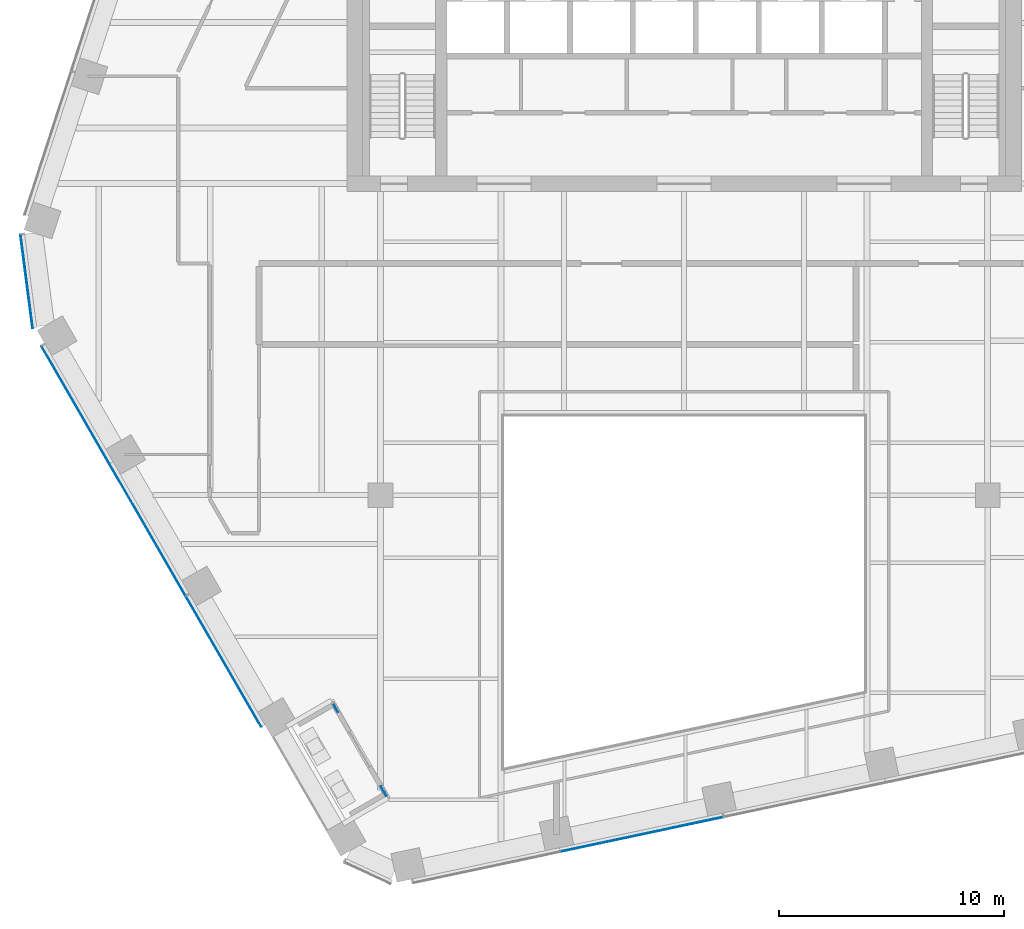
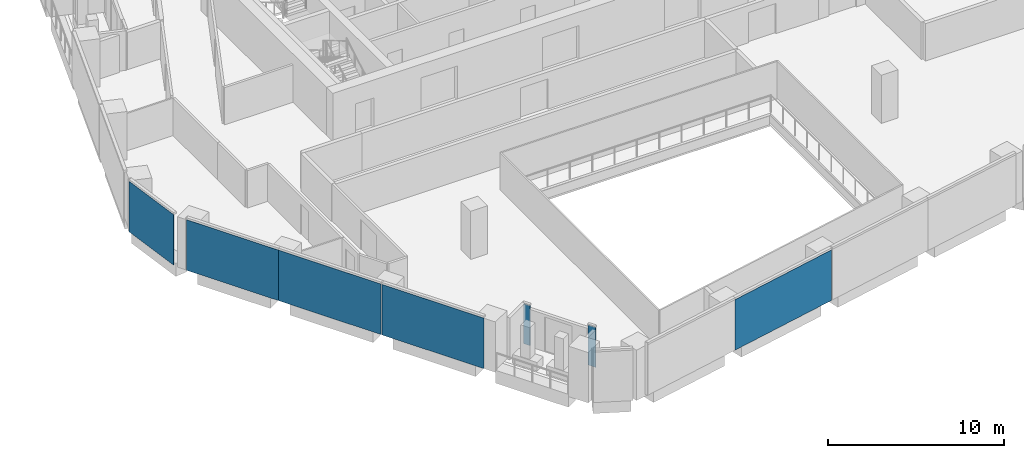
# One storey, part 13 of 26: 7 plates, 4 elements without a shape of their own.
"""IFC4 building model written with IfcOpenShell, lengths in metres."""

from ifc_helpers import new_model, si_unit, direction, frame, origin, origin_2d, place, context, subcontext, project, spatial, rectangle, extrude, material, layer, layer_set, type_object, element, aggregate, save


model = new_model("IFC4")

# Units and contexts
model_context = context("Model", 3, precision=1e-05, world=origin(), true_north=direction((0.0, 1.0)))
body_context = subcontext(model_context, "Body", "Model", "MODEL_VIEW")
ifc_project = project(units=[si_unit("LENGTHUNIT", "METRE"), si_unit("AREAUNIT", "SQUARE_METRE"), si_unit("VOLUMEUNIT", "CUBIC_METRE"), si_unit("PLANEANGLEUNIT", "RADIAN"), si_unit("MASSUNIT", "GRAM", prefix="KILO")], contexts=[model_context])

# Site, building, storey
site_placement = place(None, origin())
site = spatial("IfcSite", under=ifc_project, at=site_placement, CompositionType="ELEMENT")
building_placement = place(site_placement, origin())
building = spatial("IfcBuilding", under=site, at=building_placement, Name="Isthmus Gate Tower", CompositionType="ELEMENT")
storey_placement = place(building_placement, frame((0.0, 0.0, 203.64990234375)))
storey = spatial("IfcBuildingStorey", under=building, at=storey_placement, Name="L51", CompositionType="ELEMENT", Elevation=203.64990234375)

# Curtain wall, plate
ifc_material_1 = material(Name="Aluminium, pale champagne anodised", Category="aluminium")
ifc_layer_1 = layer(ifc_material_1, 0.199951171875)
ifc_layer_set_1 = layer_set([ifc_layer_1], Name="CW-1 UNITISED CURTAIN WALL 200 DEEP")
curtain_wall_type_1 = type_object("IfcCurtainWallType", Name="CW-1 UNITISED CURTAIN WALL 200 DEEP", PredefinedType="NOTDEFINED", material=ifc_layer_set_1)
curtain_wall_1_placement = place(storey_placement, origin())
curtain_wall_1 = element("IfcCurtainWall", 1, at=curtain_wall_1_placement, inside=storey, type_object=curtain_wall_type_1, Name="CW-1 NW-SW L51", PredefinedType="NOTDEFINED")
ifc_material_2 = material(Name="Laminated low-iron glass, pale blue tint", Category="glass")
ifc_layer_2 = layer(ifc_material_2, 0.035888671875)
ifc_layer_set_2 = layer_set([ifc_layer_2], Name="CW-1 CLEAR GLASS LITE 36")
plate_type_1 = type_object("IfcPlateType", Name="CW-1 CLEAR GLASS LITE 36", PredefinedType="CURTAIN_PANEL", material=ifc_layer_set_2)
plate_1_placement = place(storey_placement, frame((-29.234619140625, -3.9990234375, 0.0), z_axis=(0.0, 0.0, 1.0), x_axis=(0.129164534, -0.991623175988, 0.0)))
plate_1 = element("IfcPlate", 2, at=plate_1_placement, type_object=plate_type_1, Name="CW-1 glass lite", PredefinedType="CURTAIN_PANEL", context=body_context, shape_type="SweptSolid", body=[
    extrude(rectangle(XDim=4.181396484375, YDim=0.035888671875, at=origin_2d()), origin(), (0.0, 0.0, 1.0), 3.510009765625),
])
aggregate(curtain_wall_1, [plate_1])

# Curtain wall, plates
curtain_wall_2_placement = place(storey_placement, origin())
curtain_wall_2 = element("IfcCurtainWall", 3, at=curtain_wall_2_placement, inside=storey, type_object=curtain_wall_type_1, Name="CW-1 SW L51", PredefinedType="NOTDEFINED")
plate_2_placement = place(storey_placement, frame((-27.060546875, -9.49365234375, 0.0), z_axis=(0.0, 0.0, 1.0), x_axis=(0.5, -0.866025403784, 0.0)))
plate_2 = element("IfcPlate", 4, at=plate_2_placement, type_object=plate_type_1, Name="CW-1 glass lite", PredefinedType="CURTAIN_PANEL", context=body_context, shape_type="SweptSolid", body=[
    extrude(rectangle(XDim=6.0400390625, YDim=0.035888671875, at=origin_2d()), origin(), (0.0, 0.0, 1.0), 3.510009765625),
])
plate_3_placement = place(storey_placement, frame((-23.863037109375, -15.031982421875, 0.0), z_axis=(0.0, 0.0, 1.0), x_axis=(0.5, -0.866025403784, 0.0)))
plate_3 = element("IfcPlate", 5, at=plate_3_placement, type_object=plate_type_1, Name="CW-1 glass lite", PredefinedType="CURTAIN_PANEL", context=body_context, shape_type="SweptSolid", body=[
    extrude(rectangle(XDim=6.750244140625, YDim=0.035888671875, at=origin_2d()), origin(), (0.0, 0.0, 1.0), 3.510009765625),
])
plate_4_placement = place(storey_placement, frame((-20.472900390625, -20.90380859375, 0.0), z_axis=(0.0, 0.0, 1.0), x_axis=(0.5, -0.866025403784, 0.0)))
plate_4 = element("IfcPlate", 6, at=plate_4_placement, type_object=plate_type_1, Name="CW-1 glass lite", PredefinedType="CURTAIN_PANEL", context=body_context, shape_type="SweptSolid", body=[
    extrude(rectangle(XDim=6.690185546875, YDim=0.035888671875, at=origin_2d()), origin(), (0.0, 0.0, 1.0), 3.510009765625),
])
aggregate(curtain_wall_2, [plate_2, plate_3, plate_4])

# Curtain wall, plate
curtain_wall_3_placement = place(storey_placement, origin())
curtain_wall_3 = element("IfcCurtainWall", 7, at=curtain_wall_3_placement, inside=storey, type_object=curtain_wall_type_1, Name="CW-1 S L51", PredefinedType="NOTDEFINED")
plate_5_placement = place(storey_placement, frame((-1.88671875, -28.587158203125, 0.0), z_axis=(0.0, 0.0, 1.0), x_axis=(0.978147600734, 0.207911690818, 0.0)))
plate_5 = element("IfcPlate", 8, at=plate_5_placement, type_object=plate_type_1, Name="CW-1 glass lite", PredefinedType="CURTAIN_PANEL", context=body_context, shape_type="SweptSolid", body=[
    extrude(rectangle(XDim=7.390869140625, YDim=0.035888671875, at=origin_2d()), origin(), (0.0, 0.0, 1.0), 3.510009765625),
])
aggregate(curtain_wall_3, [plate_5])

# Curtain wall, plates
ifc_material_3 = material(Name="Aluminium, pale champagne anodised", Category="aluminium")
ifc_layer_3 = layer(ifc_material_3, 0.14990234375)
ifc_layer_set_3 = layer_set([ifc_layer_3], Name="CW-6 LOGGIA BACK WALL GLAZING 150 DEEP")
curtain_wall_type_2 = type_object("IfcCurtainWallType", Name="CW-6 LOGGIA BACK WALL GLAZING 150 DEEP", PredefinedType="NOTDEFINED", material=ifc_layer_set_3)
curtain_wall_4_placement = place(storey_placement, origin())
curtain_wall_4 = element("IfcCurtainWall", 9, at=curtain_wall_4_placement, inside=storey, type_object=curtain_wall_type_2, Name="CW-6 SW L51", PredefinedType="NOTDEFINED")
ifc_material_4 = material(Name="Laminated low-iron glass, clear", Category="glass")
ifc_layer_4 = layer(ifc_material_4, 0.031982421875)
ifc_layer_set_4 = layer_set([ifc_layer_4], Name="CW-6 CLEAR GLASS LITE 32")
plate_type_2 = type_object("IfcPlateType", Name="CW-6 CLEAR GLASS LITE 32", PredefinedType="CURTAIN_PANEL", material=ifc_layer_set_4)
plate_6_placement = place(storey_placement, frame((-15.4931640625, -22.965087890625, 0.0), z_axis=(0.0, 0.0, 1.0), x_axis=(0.5, -0.866025403784, 0.0)))
plate_6 = element("IfcPlate", 10, at=plate_6_placement, type_object=plate_type_2, Name="CW-6 glass lite", PredefinedType="CURTAIN_PANEL", context=body_context, shape_type="SweptSolid", body=[
    extrude(rectangle(XDim=0.43994140625, YDim=0.031982421875, at=origin_2d()), origin(), (0.0, 0.0, 1.0), 2.780029296875),
])
plate_7_placement = place(storey_placement, frame((-13.358154296875, -26.6630859375, 0.0), z_axis=(0.0, 0.0, 1.0), x_axis=(0.5, -0.866025403784, 0.0)))
plate_7 = element("IfcPlate", 11, at=plate_7_placement, type_object=plate_type_2, Name="CW-6 glass lite", PredefinedType="CURTAIN_PANEL", context=body_context, shape_type="SweptSolid", body=[
    extrude(rectangle(XDim=0.5, YDim=0.031982421875, at=origin_2d()), origin(), (0.0, 0.0, 1.0), 2.780029296875),
])
aggregate(curtain_wall_4, [plate_6, plate_7])

save(model, "model.ifc")
